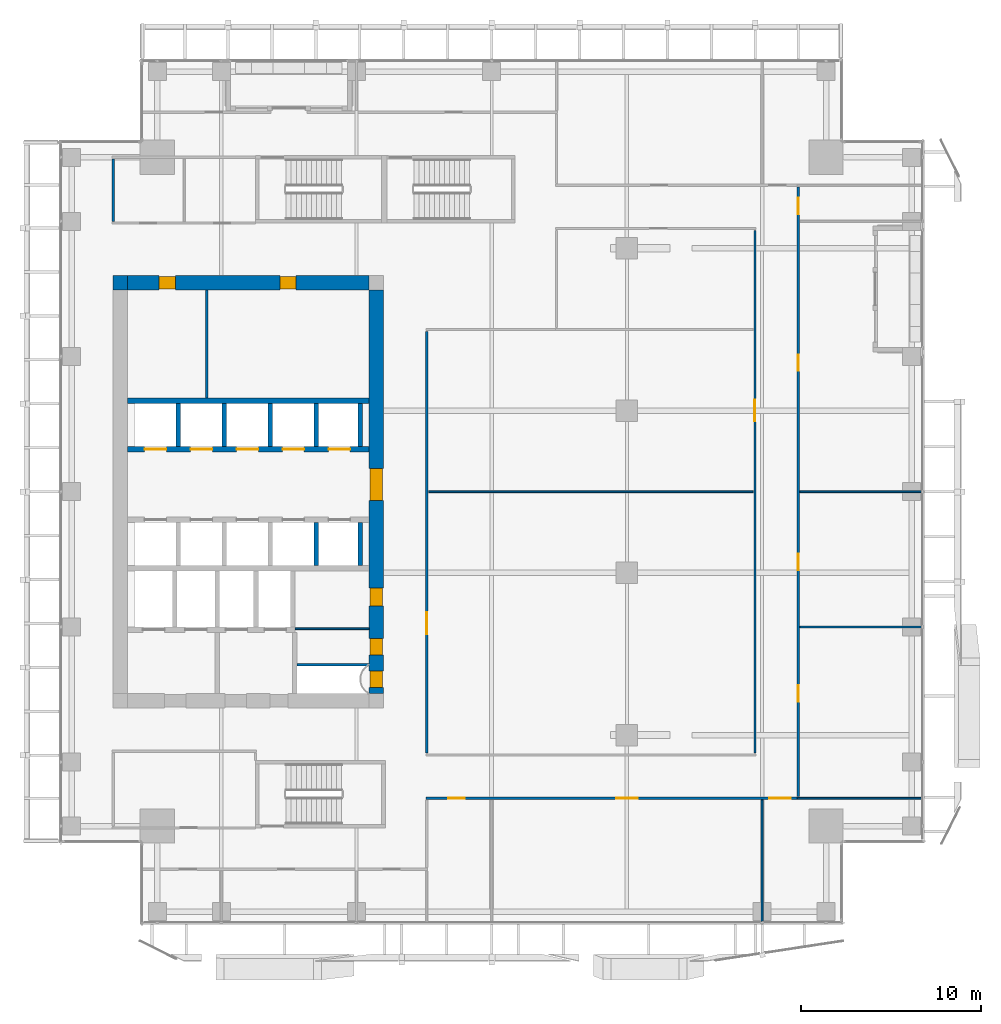
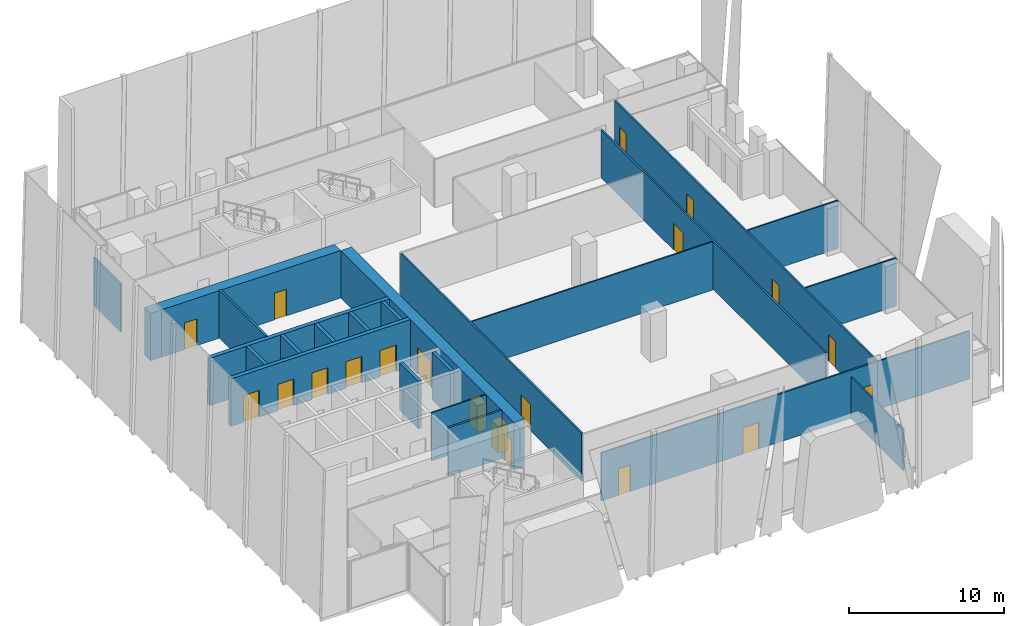
# One storey, part 29 of 35: 25 walls, 20 doors, 20 openings.
"""IFC4 building model written with IfcOpenShell, lengths in metres."""

from ifc_helpers import new_model, si_unit, direction, frame, frame_2d, origin, place, context, subcontext, project, spatial, rectangle, extrude, source, transform, mapped, material, layer, layer_set, type_object, element, fill, save


model = new_model("IFC4")

# Units and contexts
model_context = context("Model", 3, precision=1e-05, world=origin(), true_north=direction((0.0, 1.0)))
body_context = subcontext(model_context, "Body", "Model", "MODEL_VIEW")
ifc_project = project(units=[si_unit("LENGTHUNIT", "METRE"), si_unit("AREAUNIT", "SQUARE_METRE"), si_unit("VOLUMEUNIT", "CUBIC_METRE"), si_unit("PLANEANGLEUNIT", "RADIAN"), si_unit("MASSUNIT", "GRAM", prefix="KILO")], contexts=[model_context])

# Site, building, storey
site_placement = place(None, origin())
site = spatial("IfcSite", under=ifc_project, at=site_placement, CompositionType="ELEMENT")
building_placement = place(site_placement, origin())
building = spatial("IfcBuilding", under=site, at=building_placement, Name="Khomas Fold Tower", CompositionType="ELEMENT")
storey_placement = place(building_placement, frame((0.0, 0.0, 188.699951171875)))
storey = spatial("IfcBuildingStorey", under=building, at=storey_placement, Name="L41", CompositionType="ELEMENT", Elevation=188.699951171875)

# Wall, openings, doors
ifc_material_1 = material(Name="Concrete C60/75", Category="concrete")
ifc_layer_1 = layer(ifc_material_1, 0.800048828125)
ifc_layer_set_1 = layer_set([ifc_layer_1], Name="Concrete C60/75")
wall_type_1 = type_object("IfcWallType", Name="Core wall 800", PredefinedType="SHEAR", material=ifc_layer_set_1)
shared_shape_1 = source(origin(), body_context, "Body", "SweptSolid", [
    extrude(rectangle(XDim=13.39990234375, YDim=0.800048828125, at=frame_2d((6.699951171875, 0.0))), origin(), (0.0, 0.0, 1.0), 3.75),
])
wall_1_placement = place(storey_placement, frame((6.800048828125, 38.60009765625, 0.0), z_axis=(0.0, 0.0, 1.0), x_axis=(1.0, 0.0, 0.0)))
wall_1 = element("IfcWall", 1, at=wall_1_placement, inside=storey, type_object=wall_type_1, Name="Core wall CW-U-N-L35", PredefinedType="SHEAR", context=body_context, shape_type="MappedRepresentation", body=[
    mapped(shared_shape_1, transform((0.0, 0.0, 0.0))),
])
shared_shape_2 = source(origin(), body_context, "Body", "SweptSolid", [
    extrude(rectangle(XDim=0.89990234375, YDim=2.10009765625, at=frame_2d((0.449951171875, 1.050048828125))), frame((0.0, 0.409912109375, 0.0), z_axis=(0.0, -1.0, 0.0), x_axis=(1.0, 0.0, 0.0)), (0.0, 0.0, 1.0), 0.820068359375),
])
opening_1_placement = place(wall_1_placement, frame((1.75, 0.0, 0.0)))
opening_1 = element("IfcOpeningElement", 2, at=opening_1_placement, cuts=wall_1, Name="Opening 0003", PredefinedType="OPENING", context=body_context, shape_type="MappedRepresentation", body=[
    mapped(shared_shape_2, transform((0.0, 0.0, 0.0))),
])
opening_2_placement = place(wall_1_placement, frame((8.449951171875, 0.0, 0.0)))
opening_2 = element("IfcOpeningElement", 3, at=opening_2_placement, cuts=wall_1, Name="Opening 0008", PredefinedType="OPENING", context=body_context, shape_type="MappedRepresentation", body=[
    mapped(shared_shape_2, transform((0.0, 0.0, 0.0))),
])
ifc_material_2 = material(Name="Steel door leaf", Category="steel")
door_type_1 = type_object("IfcDoorType", Name="Plant room door 900x2100 right-hand", OperationType="SINGLE_SWING_RIGHT", PredefinedType="DOOR", material=ifc_material_2)
shared_shape_3 = source(origin(), body_context, "Body", "SweptSolid", [
    extrude(rectangle(XDim=0.89990234375, YDim=2.10009765625, at=frame_2d((0.449951171875, 1.050048828125))), frame((0.0, 0.35009765625, 0.0), z_axis=(0.0, -1.0, 0.0), x_axis=(1.0, 0.0, 0.0)), (0.0, 0.0, 1.0), 0.699951171875),
])
door_1_placement = place(opening_1_placement, origin())
door_1 = element("IfcDoor", 4, at=door_1_placement, inside=storey, type_object=door_type_1, Name="Plant room door", OperationType="SINGLE_SWING_RIGHT", OverallHeight=2.10009765625, OverallWidth=0.89990234375, PredefinedType="DOOR", context=body_context, shape_type="MappedRepresentation", body=[
    mapped(shared_shape_3, transform((0.0, 0.0, 0.0))),
])
fill(opening_1, door_1)
ifc_material_3 = material(Name="Timber door leaf", Category="wood")
door_type_2 = type_object("IfcDoorType", Name="Door 900x2100 right-hand", OperationType="SINGLE_SWING_RIGHT", PredefinedType="DOOR", material=ifc_material_3)
door_2_placement = place(opening_2_placement, origin())
door_2 = element("IfcDoor", 5, at=door_2_placement, inside=storey, type_object=door_type_2, Name="Door", OperationType="SINGLE_SWING_RIGHT", OverallHeight=2.10009765625, OverallWidth=0.89990234375, PredefinedType="DOOR", context=body_context, shape_type="MappedRepresentation", body=[
    mapped(shared_shape_3, transform((0.0, 0.0, 0.0))),
])
fill(opening_2, door_2)

# Wall
ifc_material_4 = material(Name="Concrete C60/75", Category="concrete")
ifc_layer_2 = layer(ifc_material_4, 0.800048828125)
ifc_layer_set_2 = layer_set([ifc_layer_2], Name="Concrete C60/75")
wall_type_2 = type_object("IfcWallType", Name="Core corner wall 800", PredefinedType="SHEAR", material=ifc_layer_set_2)
shared_shape_4 = source(origin(), body_context, "Body", "SweptSolid", [
    extrude(rectangle(XDim=0.800048828125, YDim=0.800048828125, at=frame_2d((0.39990234375, 0.0))), origin(), (0.0, 0.0, 1.0), 3.75),
])
wall_2_placement = place(storey_placement, frame((6.0, 38.60009765625, 0.0), z_axis=(0.0, 0.0, 1.0), x_axis=(1.0, 0.0, 0.0)))
element("IfcWall", 6, at=wall_2_placement, inside=storey, type_object=wall_type_2, Name="Core wall CW-U-NW-L35", PredefinedType="SHEAR", context=body_context, shape_type="MappedRepresentation", body=[
    mapped(shared_shape_4, transform((0.0, 0.0, 0.0))),
])

# Wall, openings, doors
shared_shape_5 = source(origin(), body_context, "Body", "SweptSolid", [
    extrude(rectangle(XDim=22.39990234375, YDim=0.800048828125, at=frame_2d((11.199951171875, 0.0))), origin(), (0.0, 0.0, 1.0), 3.75),
])
wall_3_placement = place(storey_placement, frame((20.60009765625, 15.800048828125, 0.0), z_axis=(0.0, 0.0, 1.0), x_axis=(0.0, 1.0, 0.0)))
wall_3 = element("IfcWall", 7, at=wall_3_placement, inside=storey, type_object=wall_type_1, Name="Core wall CW-U-E-L35", PredefinedType="SHEAR", context=body_context, shape_type="MappedRepresentation", body=[
    mapped(shared_shape_5, transform((0.0, 0.0, 0.0))),
])
shared_shape_6 = source(origin(), body_context, "Body", "SweptSolid", [
    extrude(rectangle(XDim=1.800048828125, YDim=2.10009765625, at=frame_2d((0.89990234375, 1.050048828125))), frame((0.0, 0.409912109375, 0.0), z_axis=(0.0, -1.0, 0.0), x_axis=(1.0, 0.0, 0.0)), (0.0, 0.0, 1.0), 0.820068359375),
])
opening_3_placement = place(wall_3_placement, frame((10.699951171875, 0.0, 0.0)))
opening_3 = element("IfcOpeningElement", 8, at=opening_3_placement, cuts=wall_3, Name="Opening 0015", PredefinedType="OPENING", context=body_context, shape_type="MappedRepresentation", body=[
    mapped(shared_shape_6, transform((0.0, 0.0, 0.0))),
])
opening_4_placement = place(wall_3_placement, frame((0.35009765625, 0.0, 0.0)))
opening_4 = element("IfcOpeningElement", 9, at=opening_4_placement, cuts=wall_3, Name="Opening 0003", PredefinedType="OPENING", context=body_context, shape_type="MappedRepresentation", body=[
    mapped(shared_shape_2, transform((0.0, 0.0, 0.0))),
])
opening_5_placement = place(wall_3_placement, frame((2.14990234375, 0.0, 0.0)))
opening_5 = element("IfcOpeningElement", 10, at=opening_5_placement, cuts=wall_3, Name="Opening 0008", PredefinedType="OPENING", context=body_context, shape_type="MappedRepresentation", body=[
    mapped(shared_shape_2, transform((0.0, 0.0, 0.0))),
])
shared_shape_7 = source(origin(), body_context, "Body", "SweptSolid", [
    extrude(rectangle(XDim=1.0, YDim=2.10009765625, at=frame_2d((0.5, 1.050048828125))), frame((0.0, 0.409912109375, 0.0), z_axis=(0.0, -1.0, 0.0), x_axis=(1.0, 0.0, 0.0)), (0.0, 0.0, 1.0), 0.820068359375),
])
opening_6_placement = place(wall_3_placement, frame((4.85009765625, 0.0, 0.0)))
opening_6 = element("IfcOpeningElement", 11, at=opening_6_placement, cuts=wall_3, Name="Opening 0006", PredefinedType="OPENING", context=body_context, shape_type="MappedRepresentation", body=[
    mapped(shared_shape_7, transform((0.0, 0.0, 0.0))),
])
ifc_material_5 = material(Name="Steel door leaf", Category="steel")
door_type_3 = type_object("IfcDoorType", Name="Lobby door 1800x2100", OperationType="DOUBLE_DOOR_SINGLE_SWING", PredefinedType="DOOR", material=ifc_material_5)
shared_shape_8 = source(origin(), body_context, "Body", "SweptSolid", [
    extrude(rectangle(XDim=1.800048828125, YDim=2.10009765625, at=frame_2d((0.89990234375, 1.050048828125))), frame((0.0, 0.35009765625, 0.0), z_axis=(0.0, -1.0, 0.0), x_axis=(1.0, 0.0, 0.0)), (0.0, 0.0, 1.0), 0.699951171875),
])
door_3_placement = place(opening_3_placement, origin())
door_3 = element("IfcDoor", 12, at=door_3_placement, inside=storey, type_object=door_type_3, Name="Lobby door", OperationType="DOUBLE_DOOR_SINGLE_SWING", OverallHeight=2.10009765625, OverallWidth=1.800048828125, PredefinedType="DOOR", context=body_context, shape_type="MappedRepresentation", body=[
    mapped(shared_shape_8, transform((0.0, 0.0, 0.0))),
])
fill(opening_3, door_3)
door_4_placement = place(opening_4_placement, origin())
door_4 = element("IfcDoor", 13, at=door_4_placement, inside=storey, type_object=door_type_1, Name="Plant room door", OperationType="SINGLE_SWING_RIGHT", OverallHeight=2.10009765625, OverallWidth=0.89990234375, PredefinedType="DOOR", context=body_context, shape_type="MappedRepresentation", body=[
    mapped(shared_shape_3, transform((0.0, 0.0, 0.0))),
])
fill(opening_4, door_4)
door_5_placement = place(opening_5_placement, origin())
door_5 = element("IfcDoor", 14, at=door_5_placement, inside=storey, type_object=door_type_2, Name="Door", OperationType="SINGLE_SWING_RIGHT", OverallHeight=2.10009765625, OverallWidth=0.89990234375, PredefinedType="DOOR", context=body_context, shape_type="MappedRepresentation", body=[
    mapped(shared_shape_3, transform((0.0, 0.0, 0.0))),
])
fill(opening_5, door_5)
ifc_material_6 = material(Name="Timber door leaf", Category="wood")
door_type_4 = type_object("IfcDoorType", Name="WC door 1000x2100 right-hand", OperationType="SINGLE_SWING_RIGHT", PredefinedType="DOOR", material=ifc_material_6)
shared_shape_9 = source(origin(), body_context, "Body", "SweptSolid", [
    extrude(rectangle(XDim=1.0, YDim=2.10009765625, at=frame_2d((0.5, 1.050048828125))), frame((0.0, 0.35009765625, 0.0), z_axis=(0.0, -1.0, 0.0), x_axis=(1.0, 0.0, 0.0)), (0.0, 0.0, 1.0), 0.699951171875),
])
door_6_placement = place(opening_6_placement, origin())
door_6 = element("IfcDoor", 15, at=door_6_placement, inside=storey, type_object=door_type_4, Name="WC door", OperationType="SINGLE_SWING_RIGHT", OverallHeight=2.10009765625, OverallWidth=1.0, PredefinedType="DOOR", context=body_context, shape_type="MappedRepresentation", body=[
    mapped(shared_shape_9, transform((0.0, 0.0, 0.0))),
])
fill(opening_6, door_6)

# Wall
ifc_material_7 = material(Name="Concrete C50/60", Category="concrete")
ifc_layer_3 = layer(ifc_material_7, 0.300048828125)
ifc_layer_set_3 = layer_set([ifc_layer_3], Name="Concrete C50/60")
wall_type_3 = type_object("IfcWallType", Name="Shaft wall 300", PredefinedType="STANDARD", material=ifc_layer_set_3)
shared_shape_10 = source(origin(), body_context, "Body", "SweptSolid", [
    extrude(rectangle(XDim=13.39990234375, YDim=0.300048828125, at=frame_2d((6.699951171875, 0.0))), origin(), (0.0, 0.0, 1.0), 3.75),
])
wall_4_placement = place(storey_placement, frame((6.800048828125, 32.050048828125, 0.0), z_axis=(0.0, 0.0, 1.0), x_axis=(1.0, 0.0, 0.0)))
element("IfcWall", 16, at=wall_4_placement, inside=storey, type_object=wall_type_3, Name="Core wall SW-HRN-B", PredefinedType="STANDARD", context=body_context, shape_type="MappedRepresentation", body=[
    mapped(shared_shape_10, transform((0.0, 0.0, 0.0))),
])

# Wall, openings, doors
wall_5_placement = place(storey_placement, frame((6.800048828125, 29.35009765625, 0.0), z_axis=(0.0, 0.0, 1.0), x_axis=(1.0, 0.0, 0.0)))
wall_5 = element("IfcWall", 17, at=wall_5_placement, inside=storey, type_object=wall_type_3, Name="Core wall SW-HRN-F", PredefinedType="STANDARD", context=body_context, shape_type="MappedRepresentation", body=[
    mapped(shared_shape_10, transform((0.0, 0.0, 0.0))),
])
shared_shape_11 = source(origin(), body_context, "Body", "SweptSolid", [
    extrude(rectangle(XDim=1.199951171875, YDim=2.10009765625, at=frame_2d((0.60009765625, 1.050048828125))), frame((0.0, 0.159912109375, 0.0), z_axis=(0.0, -1.0, 0.0), x_axis=(1.0, 0.0, 0.0)), (0.0, 0.0, 1.0), 0.320068359375),
])
opening_7_placement = place(wall_5_placement, frame((0.949951171875, 0.0, 0.0)))
opening_7 = element("IfcOpeningElement", 18, at=opening_7_placement, cuts=wall_5, Name="Opening LD-HR4", PredefinedType="OPENING", context=body_context, shape_type="MappedRepresentation", body=[
    mapped(shared_shape_11, transform((0.0, 0.0, 0.0))),
])
opening_8_placement = place(wall_5_placement, frame((3.5, 0.0, 0.0)))
opening_8 = element("IfcOpeningElement", 19, at=opening_8_placement, cuts=wall_5, Name="Opening LD-HR5", PredefinedType="OPENING", context=body_context, shape_type="MappedRepresentation", body=[
    mapped(shared_shape_11, transform((0.0, 0.0, 0.0))),
])
opening_9_placement = place(wall_5_placement, frame((6.050048828125, 0.0, 0.0)))
opening_9 = element("IfcOpeningElement", 20, at=opening_9_placement, cuts=wall_5, Name="Opening LD-HR6", PredefinedType="OPENING", context=body_context, shape_type="MappedRepresentation", body=[
    mapped(shared_shape_11, transform((0.0, 0.0, 0.0))),
])
opening_10_placement = place(wall_5_placement, frame((8.60009765625, 0.0, 0.0)))
opening_10 = element("IfcOpeningElement", 21, at=opening_10_placement, cuts=wall_5, Name="Opening LD-MR3", PredefinedType="OPENING", context=body_context, shape_type="MappedRepresentation", body=[
    mapped(shared_shape_11, transform((0.0, 0.0, 0.0))),
])
opening_11_placement = place(wall_5_placement, frame((11.14990234375, 0.0, 0.0)))
opening_11 = element("IfcOpeningElement", 22, at=opening_11_placement, cuts=wall_5, Name="Opening LD-MR4", PredefinedType="OPENING", context=body_context, shape_type="MappedRepresentation", body=[
    mapped(shared_shape_11, transform((0.0, 0.0, 0.0))),
])
ifc_material_8 = material(Name="Steel door leaf", Category="steel")
door_type_5 = type_object("IfcDoorType", Name="Landing door 1200x2100", OperationType="DOUBLE_DOOR_SLIDING", PredefinedType="DOOR", material=ifc_material_8)
shared_shape_12 = source(origin(), body_context, "Body", "SweptSolid", [
    extrude(rectangle(XDim=1.199951171875, YDim=2.10009765625, at=frame_2d((0.60009765625, 1.050048828125))), frame((0.0, 0.02490234375, 0.0), z_axis=(0.0, -1.0, 0.0), x_axis=(1.0, 0.0, 0.0)), (0.0, 0.0, 1.0), 0.050048828125),
])
door_7_placement = place(opening_7_placement, origin())
door_7 = element("IfcDoor", 23, at=door_7_placement, inside=storey, type_object=door_type_5, Name="Lift landing door", OperationType="DOUBLE_DOOR_SLIDING", OverallHeight=2.10009765625, OverallWidth=1.199951171875, PredefinedType="DOOR", context=body_context, shape_type="MappedRepresentation", body=[
    mapped(shared_shape_12, transform((0.0, 0.0, 0.0))),
])
fill(opening_7, door_7)
door_8_placement = place(opening_8_placement, origin())
door_8 = element("IfcDoor", 24, at=door_8_placement, inside=storey, type_object=door_type_5, Name="Lift landing door", OperationType="DOUBLE_DOOR_SLIDING", OverallHeight=2.10009765625, OverallWidth=1.199951171875, PredefinedType="DOOR", context=body_context, shape_type="MappedRepresentation", body=[
    mapped(shared_shape_12, transform((0.0, 0.0, 0.0))),
])
fill(opening_8, door_8)
door_9_placement = place(opening_9_placement, origin())
door_9 = element("IfcDoor", 25, at=door_9_placement, inside=storey, type_object=door_type_5, Name="Lift landing door", OperationType="DOUBLE_DOOR_SLIDING", OverallHeight=2.10009765625, OverallWidth=1.199951171875, PredefinedType="DOOR", context=body_context, shape_type="MappedRepresentation", body=[
    mapped(shared_shape_12, transform((0.0, 0.0, 0.0))),
])
fill(opening_9, door_9)
door_10_placement = place(opening_10_placement, origin())
door_10 = element("IfcDoor", 26, at=door_10_placement, inside=storey, type_object=door_type_5, Name="Lift landing door", OperationType="DOUBLE_DOOR_SLIDING", OverallHeight=2.10009765625, OverallWidth=1.199951171875, PredefinedType="DOOR", context=body_context, shape_type="MappedRepresentation", body=[
    mapped(shared_shape_12, transform((0.0, 0.0, 0.0))),
])
fill(opening_10, door_10)
door_11_placement = place(opening_11_placement, origin())
door_11 = element("IfcDoor", 27, at=door_11_placement, inside=storey, type_object=door_type_5, Name="Lift landing door", OperationType="DOUBLE_DOOR_SLIDING", OverallHeight=2.10009765625, OverallWidth=1.199951171875, PredefinedType="DOOR", context=body_context, shape_type="MappedRepresentation", body=[
    mapped(shared_shape_12, transform((0.0, 0.0, 0.0))),
])
fill(opening_11, door_11)

# Walls
ifc_material_9 = material(Name="Concrete C50/60", Category="concrete")
ifc_layer_4 = layer(ifc_material_9, 0.25)
ifc_layer_set_4 = layer_set([ifc_layer_4], Name="Concrete C50/60")
wall_type_4 = type_object("IfcWallType", Name="Shaft wall 250", PredefinedType="STANDARD", material=ifc_layer_set_4)
shared_shape_13 = source(origin(), body_context, "Body", "SweptSolid", [
    extrude(rectangle(XDim=2.39990234375, YDim=0.25, at=frame_2d((1.199951171875, 0.0))), origin(), (0.0, 0.0, 1.0), 3.75),
])
for number, where, z_axis, x_axis, name in (
    (28, (17.27490234375, 29.5, 0.0), (0.0, 0.0, 1.0), (0.0, 1.0, 0.0), "Core wall SW-HRN-MR-P1"),
    (29, (19.699951171875, 29.5, 0.0), (0.0, 0.0, 1.0), (0.0, 1.0, 0.0), "Core wall SW-HRN-MR-PE"),
    (30, (9.625, 29.5, 0.0), (0.0, 0.0, 1.0), (0.0, 1.0, 0.0), "Core wall SW-HRN-P1"),
    (31, (12.175048828125, 29.5, 0.0), (0.0, 0.0, 1.0), (0.0, 1.0, 0.0), "Core wall SW-HRN-P2"),
    (32, (14.72509765625, 29.5, 0.0), (0.0, 0.0, 1.0), (0.0, 1.0, 0.0), "Core wall SW-HRN-PE"),
):
    element("IfcWall", number, at=place(storey_placement, frame(where, z_axis=z_axis, x_axis=x_axis)), inside=storey, type_object=wall_type_4, Name=name, PredefinedType="STANDARD", context=body_context, shape_type="MappedRepresentation", body=[
        mapped(shared_shape_13, transform((0.0, 0.0, 0.0))),
    ])
shared_shape_14 = source(origin(), body_context, "Body", "SweptSolid", [
    extrude(rectangle(XDim=2.400146484375, YDim=0.25, at=frame_2d((1.2001953125, 0.0))), origin(), (0.0, 0.0, 1.0), 3.75),
])
for number, where, z_axis, x_axis, name in (
    (33, (17.27490234375, 22.89990234375, 0.0), (0.0, 0.0, 1.0), (0.0, 1.0, 0.0), "Core wall SW-HRS-MR-P1"),
    (34, (19.699951171875, 22.89990234375, 0.0), (0.0, 0.0, 1.0), (0.0, 1.0, 0.0), "Core wall SW-HRS-MR-PE"),
):
    element("IfcWall", number, at=place(storey_placement, frame(where, z_axis=z_axis, x_axis=x_axis)), inside=storey, type_object=wall_type_4, Name=name, PredefinedType="STANDARD", context=body_context, shape_type="MappedRepresentation", body=[
        mapped(shared_shape_14, transform((0.0, 0.0, 0.0))),
    ])
ifc_material_10 = material(Name="Plasterboard fire partition")
ifc_layer_5 = layer(ifc_material_10, 0.14990234375)
ifc_layer_set_5 = layer_set([ifc_layer_5], Name="Plasterboard fire partition")
wall_type_5 = type_object("IfcWallType", Name="Plant room wall PW3 150", PredefinedType="PARTITIONING", material=ifc_layer_set_5)
shared_shape_15 = source(origin(), body_context, "Body", "SweptSolid", [
    extrude(rectangle(XDim=4.0, YDim=0.14990234375, at=frame_2d((2.0, 0.0))), origin(), (0.0, 0.0, 1.0), 3.800048828125),
])
wall_6_placement = place(storey_placement, frame((16.199951171875, 17.39990234375, 0.0), z_axis=(0.0, 0.0, 1.0), x_axis=(1.0, 0.0, 0.0)))
element("IfcWall", 35, at=wall_6_placement, inside=storey, type_object=wall_type_5, Name="Plant room wall", PredefinedType="PARTITIONING", context=body_context, shape_type="MappedRepresentation", body=[
    mapped(shared_shape_15, transform((0.0, 0.0, 0.0))),
])
ifc_material_11 = material(Name="Plasterboard partition")
ifc_layer_6 = layer(ifc_material_11, 0.10009765625)
ifc_layer_set_6 = layer_set([ifc_layer_6], Name="Plasterboard partition")
wall_type_6 = type_object("IfcWallType", Name="Partition PW1 100", PredefinedType="PARTITIONING", material=ifc_layer_set_6)
shared_shape_16 = source(origin(), body_context, "Body", "SweptSolid", [
    extrude(rectangle(XDim=4.099853515625, YDim=0.10009765625, at=frame_2d((2.0498046875, 0.0))), origin(), (0.0, 0.0, 1.0), 3.800048828125),
])
wall_7_placement = place(storey_placement, frame((16.10009765625, 19.39990234375, 0.0), z_axis=(0.0, 0.0, 1.0), x_axis=(1.0, 0.0, 0.0)))
element("IfcWall", 36, at=wall_7_placement, inside=storey, type_object=wall_type_6, Name="Partition", PredefinedType="PARTITIONING", context=body_context, shape_type="MappedRepresentation", body=[
    mapped(shared_shape_16, transform((0.0, 0.0, 0.0))),
])
shared_shape_17 = source(origin(), body_context, "Body", "SweptSolid", [
    extrude(rectangle(XDim=18.0, YDim=0.10009765625, at=frame_2d((9.0, 0.0))), origin(), (0.0, 0.0, 1.0), 3.800048828125),
])
wall_8_placement = place(storey_placement, frame((23.5, 27.0, 0.0), z_axis=(0.0, 0.0, 1.0), x_axis=(1.0, 0.0, 0.0)))
element("IfcWall", 37, at=wall_8_placement, inside=storey, type_object=wall_type_6, Name="Partition", PredefinedType="PARTITIONING", context=body_context, shape_type="MappedRepresentation", body=[
    mapped(shared_shape_17, transform((0.0, 0.0, 0.0))),
])
ifc_material_12 = material(Name="Plasterboard partition")
ifc_layer_7 = layer(ifc_material_12, 0.125)
ifc_layer_set_7 = layer_set([ifc_layer_7], Name="Plasterboard partition")
wall_type_7 = type_object("IfcWallType", Name="Partition PW2 125", PredefinedType="PARTITIONING", material=ifc_layer_set_7)
shared_shape_18 = source(origin(), body_context, "Body", "SweptSolid", [
    extrude(rectangle(XDim=3.449951171875, YDim=0.125, at=frame_2d((1.72509765625, 0.0))), origin(), (0.0, 0.0, 1.0), 3.800048828125),
])
wall_9_placement = place(storey_placement, frame((6.0, 42.0, 0.0), z_axis=(0.0, 0.0, 1.0), x_axis=(0.0, 1.0, 0.0)))
element("IfcWall", 38, at=wall_9_placement, inside=storey, type_object=wall_type_7, Name="Partition", PredefinedType="PARTITIONING", context=body_context, shape_type="MappedRepresentation", body=[
    mapped(shared_shape_18, transform((0.0, 0.0, 0.0))),
])
shared_shape_19 = source(origin(), body_context, "Body", "SweptSolid", [
    extrude(rectangle(XDim=6.75, YDim=0.10009765625, at=frame_2d((3.375, 0.0))), origin(), (0.0, 0.0, 1.0), 3.800048828125),
])
for number, where, z_axis, x_axis, name in (
    (39, (44.10009765625, 19.5, 0.0), (0.0, 0.0, 1.0), (1.0, 0.0, 0.0), "Partition"),
    (40, (44.10009765625, 27.0, 0.0), (0.0, 0.0, 1.0), (1.0, 0.0, 0.0), "Partition"),
):
    element("IfcWall", number, at=place(storey_placement, frame(where, z_axis=z_axis, x_axis=x_axis)), inside=storey, type_object=wall_type_6, Name=name, PredefinedType="PARTITIONING", context=body_context, shape_type="MappedRepresentation", body=[
        mapped(shared_shape_19, transform((0.0, 0.0, 0.0))),
    ])
shared_shape_20 = source(origin(), body_context, "Body", "SweptSolid", [
    extrude(rectangle(XDim=6.75, YDim=0.10009765625, at=frame_2d((3.375, 0.0))), origin(), (0.0, 0.0, 1.0), 3.300048828125),
])
wall_10_placement = place(storey_placement, frame((42.0, 3.14990234375, 0.0), z_axis=(0.0, 0.0, 1.0), x_axis=(0.0, 1.0, 0.0)))
element("IfcWall", 41, at=wall_10_placement, inside=storey, type_object=wall_type_6, Name="Partition", PredefinedType="PARTITIONING", context=body_context, shape_type="MappedRepresentation", body=[
    mapped(shared_shape_20, transform((0.0, 0.0, 0.0))),
])

# Wall, openings, doors
shared_shape_21 = source(origin(), body_context, "Body", "SweptSolid", [
    extrude(rectangle(XDim=20.599853515625, YDim=0.125, at=frame_2d((10.2998046875, 0.0))), origin(), (0.0, 0.0, 1.0), 3.800048828125),
])
wall_11_placement = place(storey_placement, frame((23.35009765625, 10.0, 0.0), z_axis=(0.0, 0.0, 1.0), x_axis=(1.0, 0.0, 0.0)))
wall_11 = element("IfcWall", 42, at=wall_11_placement, inside=storey, type_object=wall_type_7, Name="Partition", PredefinedType="PARTITIONING", context=body_context, shape_type="MappedRepresentation", body=[
    mapped(shared_shape_21, transform((0.0, 0.0, 0.0))),
])
shared_shape_22 = source(origin(), body_context, "Body", "SweptSolid", [
    extrude(rectangle(XDim=0.89990234375, YDim=2.10009765625, at=frame_2d((0.449951171875, 1.050048828125))), frame((0.0, 0.072509765625, 0.0), z_axis=(0.0, -1.0, 0.0), x_axis=(1.0, 0.0, 0.0)), (0.0, 0.0, 1.0), 0.14501953125),
])
opening_12_placement = place(wall_11_placement, frame((1.25, 0.0, 0.0)))
opening_12 = element("IfcOpeningElement", 43, at=opening_12_placement, cuts=wall_11, Name="Opening 0007", PredefinedType="OPENING", context=body_context, shape_type="MappedRepresentation", body=[
    mapped(shared_shape_22, transform((0.0, 0.0, 0.0))),
])
shared_shape_23 = source(origin(), body_context, "Body", "SweptSolid", [
    extrude(rectangle(XDim=1.199951171875, YDim=2.10009765625, at=frame_2d((0.60009765625, 1.050048828125))), frame((0.0, 0.072509765625, 0.0), z_axis=(0.0, -1.0, 0.0), x_axis=(1.0, 0.0, 0.0)), (0.0, 0.0, 1.0), 0.14501953125),
])
opening_13_placement = place(wall_11_placement, frame((10.550048828125, 0.0, 0.0)))
opening_13 = element("IfcOpeningElement", 44, at=opening_13_placement, cuts=wall_11, Name="Opening 0001", PredefinedType="OPENING", context=body_context, shape_type="MappedRepresentation", body=[
    mapped(shared_shape_23, transform((0.0, 0.0, 0.0))),
])
opening_14_placement = place(wall_11_placement, frame((19.050048828125, 0.0, 0.0)))
opening_14 = element("IfcOpeningElement", 45, at=opening_14_placement, cuts=wall_11, Name="Opening 0013", PredefinedType="OPENING", context=body_context, shape_type="MappedRepresentation", body=[
    mapped(shared_shape_23, transform((0.0, 0.0, 0.0))),
])
ifc_material_13 = material(Name="Timber door leaf", Category="wood")
door_type_6 = type_object("IfcDoorType", Name="Door 900x2100 left-hand", OperationType="SINGLE_SWING_LEFT", PredefinedType="DOOR", material=ifc_material_13)
shared_shape_24 = source(origin(), body_context, "Body", "SweptSolid", [
    extrude(rectangle(XDim=0.89990234375, YDim=2.10009765625, at=frame_2d((0.449951171875, 1.050048828125))), frame((0.0, 0.02490234375, 0.0), z_axis=(0.0, -1.0, 0.0), x_axis=(1.0, 0.0, 0.0)), (0.0, 0.0, 1.0), 0.050048828125),
])
door_12_placement = place(opening_12_placement, origin())
door_12 = element("IfcDoor", 46, at=door_12_placement, inside=storey, type_object=door_type_6, Name="Door", OperationType="SINGLE_SWING_LEFT", OverallHeight=2.10009765625, OverallWidth=0.89990234375, PredefinedType="DOOR", context=body_context, shape_type="MappedRepresentation", body=[
    mapped(shared_shape_24, transform((0.0, 0.0, 0.0))),
])
fill(opening_12, door_12)
ifc_material_14 = material(Name="Timber door leaf", Category="wood")
door_type_7 = type_object("IfcDoorType", Name="Door 1200x2100 right-hand", OperationType="SINGLE_SWING_RIGHT", PredefinedType="DOOR", material=ifc_material_14)
door_13_placement = place(opening_13_placement, origin())
door_13 = element("IfcDoor", 47, at=door_13_placement, inside=storey, type_object=door_type_7, Name="Door", OperationType="SINGLE_SWING_RIGHT", OverallHeight=2.10009765625, OverallWidth=1.199951171875, PredefinedType="DOOR", context=body_context, shape_type="MappedRepresentation", body=[
    mapped(shared_shape_12, transform((0.0, 0.0, 0.0))),
])
fill(opening_13, door_13)
ifc_material_15 = material(Name="Timber door leaf", Category="wood")
door_type_8 = type_object("IfcDoorType", Name="Door 1200x2100 left-hand", OperationType="SINGLE_SWING_LEFT", PredefinedType="DOOR", material=ifc_material_15)
door_14_placement = place(opening_14_placement, origin())
door_14 = element("IfcDoor", 48, at=door_14_placement, inside=storey, type_object=door_type_8, Name="Door", OperationType="SINGLE_SWING_LEFT", OverallHeight=2.10009765625, OverallWidth=1.199951171875, PredefinedType="DOOR", context=body_context, shape_type="MappedRepresentation", body=[
    mapped(shared_shape_12, transform((0.0, 0.0, 0.0))),
])
fill(opening_14, door_14)

# Wall
shared_shape_25 = source(origin(), body_context, "Body", "SweptSolid", [
    extrude(rectangle(XDim=6.900146484375, YDim=0.10009765625, at=frame_2d((3.4501953125, 0.0))), origin(), (0.0, 0.0, 1.0), 3.800048828125),
])
wall_12_placement = place(storey_placement, frame((43.949951171875, 10.0, 0.0), z_axis=(0.0, 0.0, 1.0), x_axis=(1.0, 0.0, 0.0)))
element("IfcWall", 49, at=wall_12_placement, inside=storey, type_object=wall_type_6, Name="Partition", PredefinedType="PARTITIONING", context=body_context, shape_type="MappedRepresentation", body=[
    mapped(shared_shape_25, transform((0.0, 0.0, 0.0))),
])

# Wall, openings, doors
shared_shape_26 = source(origin(), body_context, "Body", "SweptSolid", [
    extrude(rectangle(XDim=33.7998046875, YDim=0.125, at=frame_2d((16.89990234375, 0.0))), origin(), (0.0, 0.0, 1.0), 3.800048828125),
])
wall_13_placement = place(storey_placement, frame((44.0, 10.10009765625, 0.0), z_axis=(0.0, 0.0, 1.0), x_axis=(0.0, 1.0, 0.0)))
wall_13 = element("IfcWall", 50, at=wall_13_placement, inside=storey, type_object=wall_type_7, Name="Partition", PredefinedType="PARTITIONING", context=body_context, shape_type="MappedRepresentation", body=[
    mapped(shared_shape_26, transform((0.0, 0.0, 0.0))),
])
opening_15_placement = place(wall_13_placement, frame((5.25, 0.0, 0.0)))
opening_15 = element("IfcOpeningElement", 51, at=opening_15_placement, cuts=wall_13, Name="Opening 0007", PredefinedType="OPENING", context=body_context, shape_type="MappedRepresentation", body=[
    mapped(shared_shape_22, transform((0.0, 0.0, 0.0))),
])
opening_16_placement = place(wall_13_placement, frame((12.550048828125, 0.0, 0.0)))
opening_16 = element("IfcOpeningElement", 52, at=opening_16_placement, cuts=wall_13, Name="Opening 0007", PredefinedType="OPENING", context=body_context, shape_type="MappedRepresentation", body=[
    mapped(shared_shape_22, transform((0.0, 0.0, 0.0))),
])
opening_17_placement = place(wall_13_placement, frame((23.60009765625, 0.0, 0.0)))
opening_17 = element("IfcOpeningElement", 53, at=opening_17_placement, cuts=wall_13, Name="Opening 0007", PredefinedType="OPENING", context=body_context, shape_type="MappedRepresentation", body=[
    mapped(shared_shape_22, transform((0.0, 0.0, 0.0))),
])
opening_18_placement = place(wall_13_placement, frame((32.300048828125, 0.0, 0.0)))
opening_18 = element("IfcOpeningElement", 54, at=opening_18_placement, cuts=wall_13, Name="Opening 0007", PredefinedType="OPENING", context=body_context, shape_type="MappedRepresentation", body=[
    mapped(shared_shape_22, transform((0.0, 0.0, 0.0))),
])
door_15_placement = place(opening_15_placement, origin())
door_15 = element("IfcDoor", 55, at=door_15_placement, inside=storey, type_object=door_type_6, Name="Door", OperationType="SINGLE_SWING_LEFT", OverallHeight=2.10009765625, OverallWidth=0.89990234375, PredefinedType="DOOR", context=body_context, shape_type="MappedRepresentation", body=[
    mapped(shared_shape_24, transform((0.0, 0.0, 0.0))),
])
fill(opening_15, door_15)
door_16_placement = place(opening_16_placement, origin())
door_16 = element("IfcDoor", 56, at=door_16_placement, inside=storey, type_object=door_type_6, Name="Door", OperationType="SINGLE_SWING_LEFT", OverallHeight=2.10009765625, OverallWidth=0.89990234375, PredefinedType="DOOR", context=body_context, shape_type="MappedRepresentation", body=[
    mapped(shared_shape_24, transform((0.0, 0.0, 0.0))),
])
fill(opening_16, door_16)
door_17_placement = place(opening_17_placement, origin())
door_17 = element("IfcDoor", 57, at=door_17_placement, inside=storey, type_object=door_type_6, Name="Door", OperationType="SINGLE_SWING_LEFT", OverallHeight=2.10009765625, OverallWidth=0.89990234375, PredefinedType="DOOR", context=body_context, shape_type="MappedRepresentation", body=[
    mapped(shared_shape_24, transform((0.0, 0.0, 0.0))),
])
fill(opening_17, door_17)
door_18_placement = place(opening_18_placement, origin())
door_18 = element("IfcDoor", 58, at=door_18_placement, inside=storey, type_object=door_type_6, Name="Door", OperationType="SINGLE_SWING_LEFT", OverallHeight=2.10009765625, OverallWidth=0.89990234375, PredefinedType="DOOR", context=body_context, shape_type="MappedRepresentation", body=[
    mapped(shared_shape_24, transform((0.0, 0.0, 0.0))),
])
fill(opening_18, door_18)

# Wall, opening, door
shared_shape_27 = source(origin(), body_context, "Body", "SweptSolid", [
    extrude(rectangle(XDim=23.39990234375, YDim=0.125, at=frame_2d((11.699951171875, 0.0))), origin(), (0.0, 0.0, 1.0), 3.800048828125),
])
wall_14_placement = place(storey_placement, frame((23.39990234375, 12.5, 0.0), z_axis=(0.0, 0.0, 1.0), x_axis=(0.0, 1.0, 0.0)))
wall_14 = element("IfcWall", 59, at=wall_14_placement, inside=storey, type_object=wall_type_7, Name="Partition", PredefinedType="PARTITIONING", context=body_context, shape_type="MappedRepresentation", body=[
    mapped(shared_shape_27, transform((0.0, 0.0, 0.0))),
])
opening_19_placement = place(wall_14_placement, frame((6.60009765625, 0.0, 0.0)))
opening_19 = element("IfcOpeningElement", 60, at=opening_19_placement, cuts=wall_14, Name="Opening 0013", PredefinedType="OPENING", context=body_context, shape_type="MappedRepresentation", body=[
    mapped(shared_shape_23, transform((0.0, 0.0, 0.0))),
])
door_19_placement = place(opening_19_placement, origin())
door_19 = element("IfcDoor", 61, at=door_19_placement, inside=storey, type_object=door_type_8, Name="Door", OperationType="SINGLE_SWING_LEFT", OverallHeight=2.10009765625, OverallWidth=1.199951171875, PredefinedType="DOOR", context=body_context, shape_type="MappedRepresentation", body=[
    mapped(shared_shape_12, transform((0.0, 0.0, 0.0))),
])
fill(opening_19, door_19)

shared_shape_28 = source(origin(), body_context, "Body", "SweptSolid", [
    extrude(rectangle(XDim=29.0, YDim=0.125, at=frame_2d((14.5, 0.0))), origin(), (0.0, 0.0, 1.0), 3.800048828125),
])
wall_15_placement = place(storey_placement, frame((41.60009765625, 12.5, 0.0), z_axis=(0.0, 0.0, 1.0), x_axis=(0.0, 1.0, 0.0)))
wall_15 = element("IfcWall", 62, at=wall_15_placement, inside=storey, type_object=wall_type_7, Name="Partition", PredefinedType="PARTITIONING", context=body_context, shape_type="MappedRepresentation", body=[
    mapped(shared_shape_28, transform((0.0, 0.0, 0.0))),
])
opening_20_placement = place(wall_15_placement, frame((18.39990234375, 0.0, 0.0)))
opening_20 = element("IfcOpeningElement", 63, at=opening_20_placement, cuts=wall_15, Name="Opening 0001", PredefinedType="OPENING", context=body_context, shape_type="MappedRepresentation", body=[
    mapped(shared_shape_23, transform((0.0, 0.0, 0.0))),
])
door_20_placement = place(opening_20_placement, origin())
door_20 = element("IfcDoor", 64, at=door_20_placement, inside=storey, type_object=door_type_7, Name="Door", OperationType="SINGLE_SWING_RIGHT", OverallHeight=2.10009765625, OverallWidth=1.199951171875, PredefinedType="DOOR", context=body_context, shape_type="MappedRepresentation", body=[
    mapped(shared_shape_12, transform((0.0, 0.0, 0.0))),
])
fill(opening_20, door_20)

# Wall
shared_shape_29 = source(origin(), body_context, "Body", "SweptSolid", [
    extrude(rectangle(XDim=6.0, YDim=0.14990234375, at=frame_2d((3.0, 0.0))), origin(), (0.0, 0.0, 1.0), 3.800048828125),
])
wall_16_placement = place(storey_placement, frame((11.199951171875, 32.199951171875, 0.0), z_axis=(0.0, 0.0, 1.0), x_axis=(0.0, 1.0, 0.0)))
element("IfcWall", 65, at=wall_16_placement, inside=storey, type_object=wall_type_5, Name="Plant room wall", PredefinedType="PARTITIONING", context=body_context, shape_type="MappedRepresentation", body=[
    mapped(shared_shape_29, transform((0.0, 0.0, 0.0))),
])

save(model, "model.ifc")
